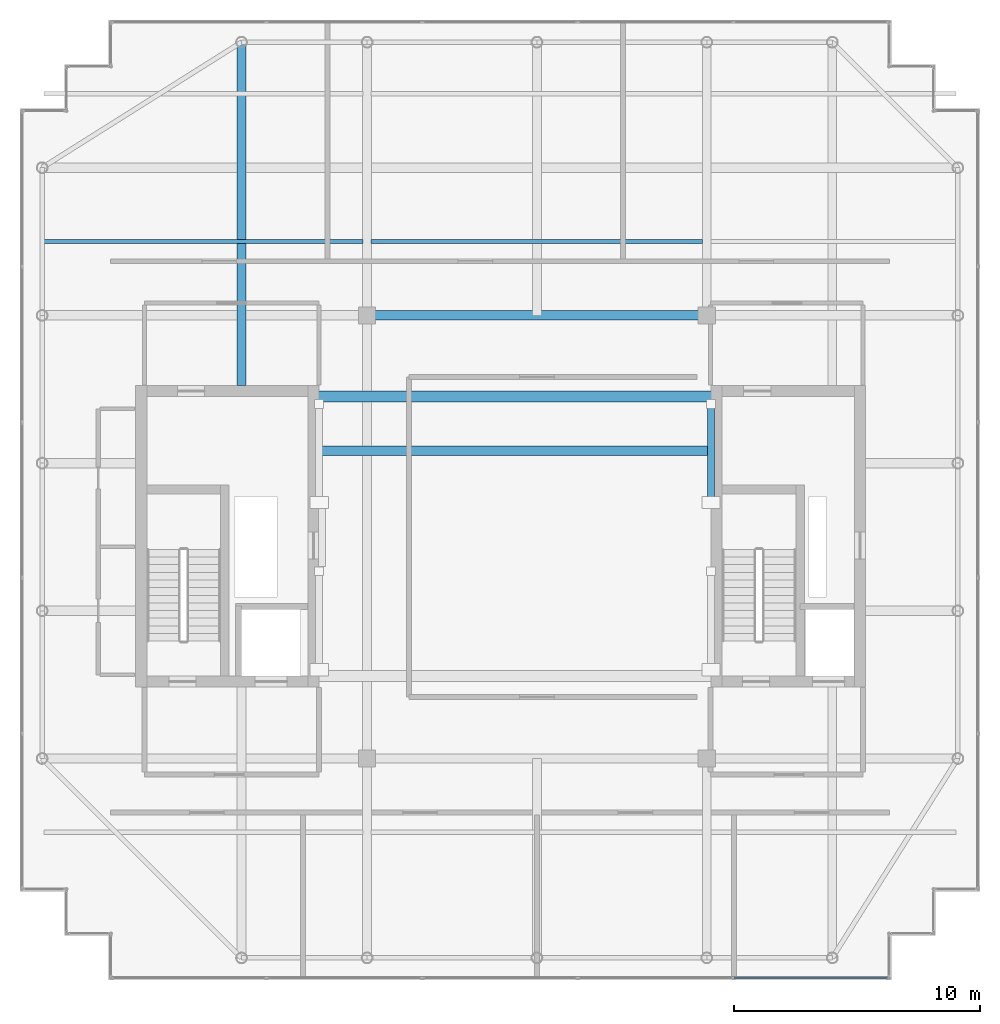
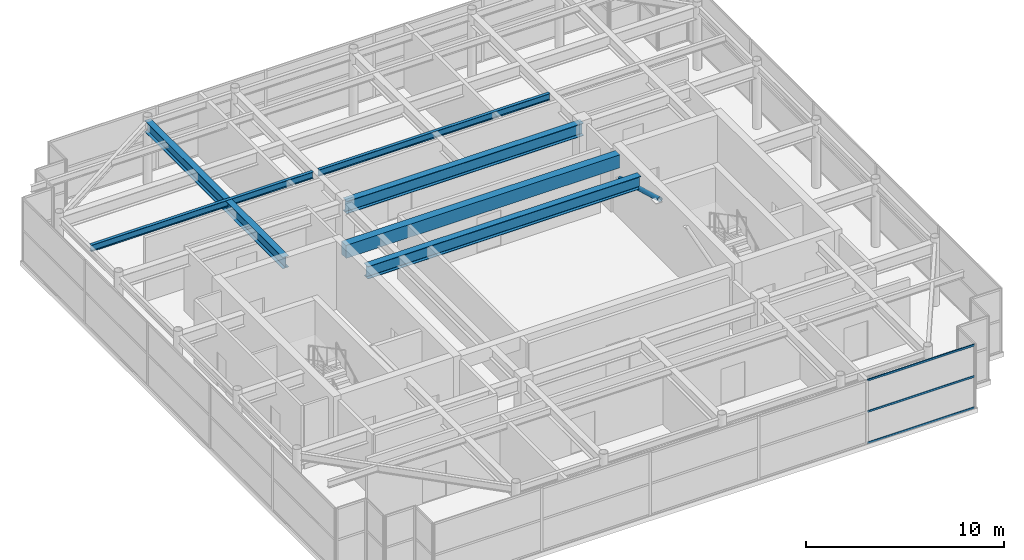
# One storey, part 14 of 32: 6 beams, 4 members, 1 element without a shape of its own.
"""IFC4 building model written with IfcOpenShell, lengths in metres."""

from ifc_helpers import new_model, si_unit, direction, frame, origin, origin_2d, place, context, subcontext, project, spatial, rectangle, hollow_rectangle, hollow_circle, i_section, extrude, source, transform, mapped, material, layer, layer_set, material_profile, profile_set, type_object, element, aggregate, save


model = new_model("IFC4")

# Units and contexts
model_context = context("Model", 3, precision=1e-05, world=origin(), true_north=direction((0.0, 1.0)))
body_context = subcontext(model_context, "Body", "Model", "MODEL_VIEW")
ifc_project = project(units=[si_unit("LENGTHUNIT", "METRE"), si_unit("AREAUNIT", "SQUARE_METRE"), si_unit("VOLUMEUNIT", "CUBIC_METRE"), si_unit("PLANEANGLEUNIT", "RADIAN"), si_unit("MASSUNIT", "GRAM", prefix="KILO")], contexts=[model_context])

# Site, building, storey
site_placement = place(None, origin())
site = spatial("IfcSite", under=ifc_project, at=site_placement, CompositionType="ELEMENT")
building_placement = place(site_placement, origin())
building = spatial("IfcBuilding", under=site, at=building_placement, Name="Khoralis Quay Care Tower", CompositionType="ELEMENT")
storey_placement = place(building_placement, frame((0.0, 0.0, 310.5)))
storey = spatial("IfcBuildingStorey", under=building, at=storey_placement, Name="L81", CompositionType="ELEMENT", Elevation=310.5)

# Beams
ifc_material_1 = material(Name="Concrete C50/60", Category="concrete")
ifc_material_profile_1 = material_profile(ifc_material_1, rectangle(XDim=0.449951171875, YDim=0.800048828125, at=origin_2d()), Name="Concrete C50/60")
ifc_profile_set_1 = profile_set([ifc_material_profile_1], Name="Concrete C50/60")
beam_type_1 = type_object("IfcBeamType", Name="CB-RC450X800", PredefinedType="LINTEL", material=ifc_profile_set_1)
shared_shape_1 = source(origin(), body_context, "Body", "SweptSolid", [
    extrude(rectangle(XDim=0.449951171875, YDim=0.800048828125, at=origin_2d()), origin(), (0.0, 0.0, 1.0), 15.97998046875),
])
beam_1_placement = place(storey_placement, frame((15.1201171875, 26.699951171875, 3.52001953125), z_axis=(1.0, 0.0, 0.0), x_axis=(0.0, 1.0, 0.0)))
element("IfcBeam", 1, at=beam_1_placement, inside=storey, type_object=beam_type_1, Name="L81 North Core Coupling Lintel", PredefinedType="LINTEL", context=body_context, shape_type="MappedRepresentation", body=[
    mapped(shared_shape_1, transform((0.0, 0.0, 0.0), scale=1.0)),
])
ifc_material_2 = material(Name="Steel S355", Category="steel")
ifc_material_profile_2 = material_profile(ifc_material_2, i_section(OverallWidth=0.381103515625, OverallDepth=0.77294921875, WebThickness=0.0166015625, FlangeThickness=0.027587890625, FilletRadius=0.02197265625, at=origin_2d()), Name="Steel S355")
ifc_profile_set_2 = profile_set([ifc_material_profile_2], Name="Steel S355")
beam_type_2 = type_object("IfcBeamType", Name="BM-W760X257", PredefinedType="BEAM", material=ifc_profile_set_2)
shared_shape_2 = source(origin(), body_context, "Body", "SweptSolid", [
    extrude(i_section(OverallWidth=0.381103515625, OverallDepth=0.77294921875, WebThickness=0.0166015625, FlangeThickness=0.027587890625, FilletRadius=0.02197265625, at=origin_2d()), origin(), (0.0, 0.0, 1.0), 13.7998046875),
])
beam_2_placement = place(storey_placement, frame((17.10009765625, 30.0, 3.533447265625), z_axis=(1.0, 0.0, 0.0), x_axis=(0.0, 1.0, 0.0)))
element("IfcBeam", 2, at=beam_2_placement, inside=storey, type_object=beam_type_2, Name="BM-TGCC-L81-300", PredefinedType="BEAM", context=body_context, shape_type="MappedRepresentation", body=[
    mapped(shared_shape_2, transform((0.0, 0.0, 0.0), scale=1.0)),
])
ifc_material_profile_3 = material_profile(ifc_material_2, i_section(OverallWidth=0.177978515625, OverallDepth=0.406982421875, WebThickness=0.0078125, FlangeThickness=0.0126953125, FilletRadius=0.012939453125, at=origin_2d()), Name="Steel S355")
ifc_profile_set_3 = profile_set([ifc_material_profile_3], Name="Steel S355")
beam_type_3 = type_object("IfcBeamType", Name="BM-W410X60", PredefinedType="JOIST", material=ifc_profile_set_3)
shared_shape_3 = source(origin(), body_context, "Body", "SweptSolid", [
    extrude(i_section(OverallWidth=0.177978515625, OverallDepth=0.406982421875, WebThickness=0.0078125, FlangeThickness=0.0126953125, FilletRadius=0.012939453125, at=origin_2d()), origin(), (0.0, 0.0, 1.0), 13.46923828125),
])
beam_3_placement = place(storey_placement, frame((17.265380859375, 33.0, 3.716552734375), z_axis=(1.0, 0.0, 0.0), x_axis=(0.0, 1.0, 0.0)))
element("IfcBeam", 3, at=beam_3_placement, inside=storey, type_object=beam_type_3, Name="BM-TJS-L81-26", PredefinedType="JOIST", context=body_context, shape_type="MappedRepresentation", body=[
    mapped(shared_shape_3, transform((0.0, 0.0, 0.0), scale=1.0)),
])
shared_shape_4 = source(origin(), body_context, "Body", "SweptSolid", [
    extrude(i_section(OverallWidth=0.381103515625, OverallDepth=0.77294921875, WebThickness=0.0166015625, FlangeThickness=0.027587890625, FilletRadius=0.02197265625, at=origin_2d()), origin(), (0.0, 0.0, 1.0), 15.924072265625),
])
beam_4_placement = place(storey_placement, frame((15.14794921875, 24.5, 3.533447265625), z_axis=(1.0, 0.0, 0.0), x_axis=(0.0, 1.0, 0.0)))
element("IfcBeam", 4, at=beam_4_placement, inside=storey, type_object=beam_type_2, Name="BM-TGCC-L81-245", PredefinedType="BEAM", context=body_context, shape_type="MappedRepresentation", body=[
    mapped(shared_shape_4, transform((0.0, 0.0, 0.0), scale=1.0)),
])
ifc_material_profile_4 = material_profile(ifc_material_2, i_section(OverallWidth=0.35498046875, OverallDepth=0.695068359375, WebThickness=0.015380859375, FlangeThickness=0.02490234375, FilletRadius=0.02001953125, at=origin_2d()), Name="Steel S355")
ifc_profile_set_4 = profile_set([ifc_material_profile_4], Name="Steel S355")
beam_type_4 = type_object("IfcBeamType", Name="BM-W690X217", PredefinedType="BEAM", material=ifc_profile_set_4)
shared_shape_5 = source(origin(), body_context, "Body", "SweptSolid", [
    extrude(i_section(OverallWidth=0.35498046875, OverallDepth=0.695068359375, WebThickness=0.015380859375, FlangeThickness=0.02490234375, FilletRadius=0.02001953125, at=origin_2d()), origin(), (0.0, 0.0, 1.0), 13.9521484375),
])
beam_5_placement = place(storey_placement, frame((12.0, 27.14794921875, 3.572509765625), z_axis=(0.0, 1.0, 0.0), x_axis=(-1.0, 0.0, 0.0)))
element("IfcBeam", 5, at=beam_5_placement, inside=storey, type_object=beam_type_4, Name="BM-TGYN-L81-120", PredefinedType="BEAM", context=body_context, shape_type="MappedRepresentation", body=[
    mapped(shared_shape_5, transform((0.0, 0.0, 0.0), scale=1.0)),
])
shared_shape_6 = source(origin(), body_context, "Body", "SweptSolid", [
    extrude(i_section(OverallWidth=0.177978515625, OverallDepth=0.406982421875, WebThickness=0.0078125, FlangeThickness=0.0126953125, FilletRadius=0.012939453125, at=origin_2d()), origin(), (0.0, 0.0, 1.0), 12.95361328125),
])
beam_6_placement = place(storey_placement, frame((3.98095703125, 33.0, 3.716552734375), z_axis=(1.0, 0.0, 0.0), x_axis=(0.0, 1.0, 0.0)))
element("IfcBeam", 6, at=beam_6_placement, inside=storey, type_object=beam_type_3, Name="BM-TJS-L81-24", PredefinedType="JOIST", context=body_context, shape_type="MappedRepresentation", body=[
    mapped(shared_shape_6, transform((0.0, 0.0, 0.0), scale=1.0)),
])

# Member
ifc_material_profile_5 = material_profile(ifc_material_2, hollow_circle(Radius=0.136474609375, WallThickness=0.012451171875, at=origin_2d()), Name="Steel S355")
ifc_profile_set_5 = profile_set([ifc_material_profile_5], Name="Steel S355")
member_type_1 = type_object("IfcMemberType", Name="ST-CHS273X12", PredefinedType="STRUT", material=ifc_profile_set_5)
shared_shape_7 = source(origin(), body_context, "Body", "SweptSolid", [
    extrude(hollow_circle(Radius=0.136474609375, WallThickness=0.012451171875, at=origin_2d()), origin(), (0.0, 0.0, 1.0), 4.156494140625),
])
member_1_placement = place(storey_placement, frame((31.072021484375, 22.39990234375, 3.64990234375), z_axis=(0.0, 0.962344148942, -0.2718340284), x_axis=(-1.0, 0.0, 0.0)))
element("IfcMember", 7, at=member_1_placement, inside=storey, type_object=member_type_1, Name="L81 Lantern Diagrid Strut 4", PredefinedType="STRUT", context=body_context, shape_type="MappedRepresentation", body=[
    mapped(shared_shape_7, transform((0.0, 0.0, 0.0), scale=1.0)),
])

# Curtain wall, members
ifc_material_3 = material(Name="Pale anodised aluminium", Category="aluminium")
ifc_layer = layer(ifc_material_3, 0.199951171875)
ifc_layer_set = layer_set([ifc_layer], Name="Pale anodised aluminium")
curtain_wall_type = type_object("IfcCurtainWallType", Name="CW-SYS-LANTERN", PredefinedType="NOTDEFINED", material=ifc_layer_set)
curtain_wall_placement = place(storey_placement, origin())
curtain_wall = element("IfcCurtainWall", 8, at=curtain_wall_placement, inside=storey, type_object=curtain_wall_type, Name="L81 Unitised Curtain Wall CW-LN-L81-01", PredefinedType="NOTDEFINED")
ifc_material_profile_6 = material_profile(ifc_material_3, hollow_rectangle(XDim=0.054931640625, YDim=0.1201171875, WallThickness=0.00390625, at=origin_2d()), Name="Pale anodised aluminium")
ifc_profile_set_6 = profile_set([ifc_material_profile_6], Name="Pale anodised aluminium")
member_type_2 = type_object("IfcMemberType", Name="CW-TRN-120", PredefinedType="USERDEFINED", material=ifc_profile_set_6)
shared_shape_8 = source(origin(), body_context, "Body", "SweptSolid", [
    extrude(hollow_rectangle(XDim=0.054931640625, YDim=0.1201171875, WallThickness=0.00390625, at=origin_2d()), origin(), (0.0, 0.0, 1.0), 6.23388671875),
])
member_2_placement = place(storey_placement, frame((32.01611328125, 3.090087890625, 0.030029296875), z_axis=(1.0, 0.0, 0.0), x_axis=(0.0, 1.0, 0.0)))
member_2 = element("IfcMember", 9, at=member_2_placement, type_object=member_type_2, Name="CW5 transom 5.1", ObjectType="TRANSOM", PredefinedType="USERDEFINED", context=body_context, shape_type="MappedRepresentation", body=[
    mapped(shared_shape_8, transform((0.0, 0.0, 0.0), scale=1.0)),
])
member_3_placement = place(storey_placement, frame((32.01611328125, 3.090087890625, 1.9599609375), z_axis=(1.0, 0.0, 0.0), x_axis=(0.0, 1.0, 0.0)))
member_3 = element("IfcMember", 10, at=member_3_placement, type_object=member_type_2, Name="CW5 transom 5.2", ObjectType="TRANSOM", PredefinedType="USERDEFINED", context=body_context, shape_type="MappedRepresentation", body=[
    mapped(shared_shape_8, transform((0.0, 0.0, 0.0), scale=1.0)),
])
member_4_placement = place(storey_placement, frame((32.01611328125, 3.090087890625, 3.889892578125), z_axis=(1.0, 0.0, 0.0), x_axis=(0.0, 1.0, 0.0)))
member_4 = element("IfcMember", 11, at=member_4_placement, type_object=member_type_2, Name="CW5 transom 5.3", ObjectType="TRANSOM", PredefinedType="USERDEFINED", context=body_context, shape_type="MappedRepresentation", body=[
    mapped(shared_shape_8, transform((0.0, 0.0, 0.0), scale=1.0)),
])
aggregate(curtain_wall, [member_2, member_3, member_4])

save(model, "model.ifc")
